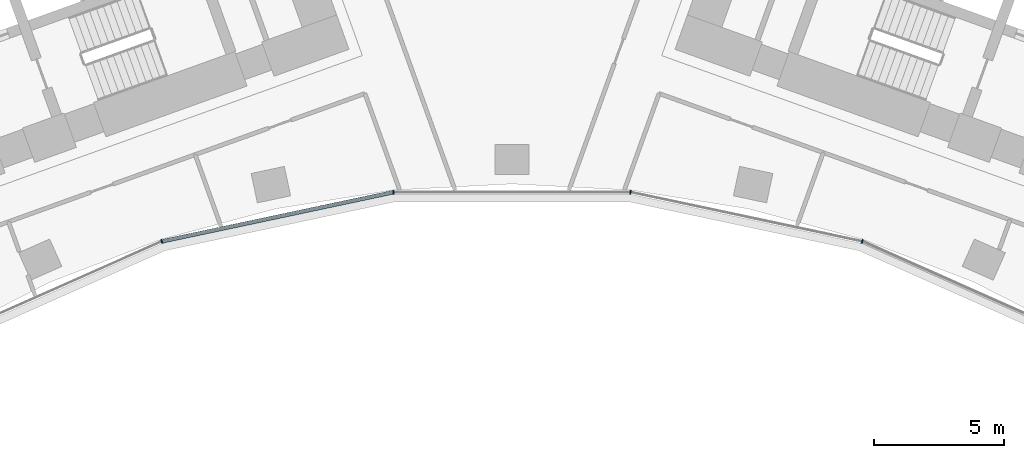
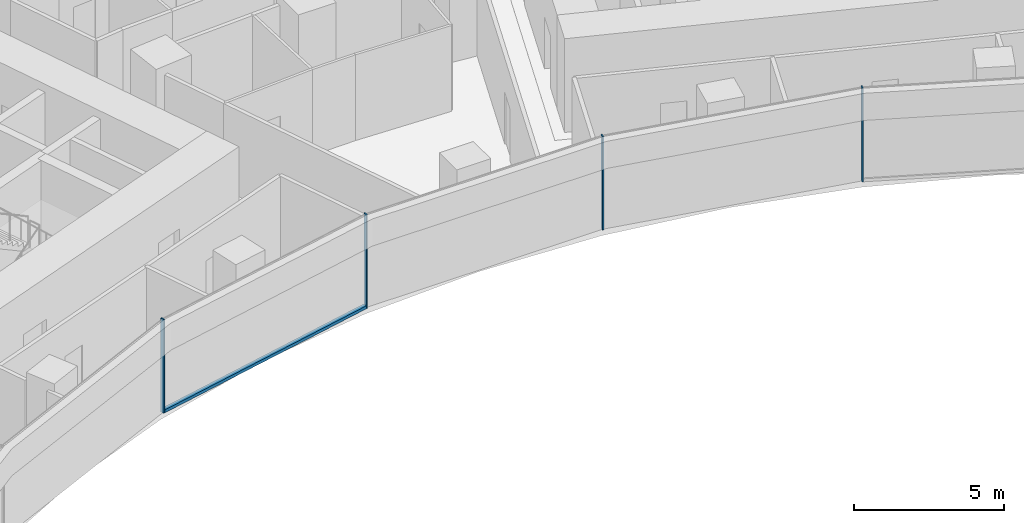
# One storey, part 4 of 21: 5 members, 1 element without a shape of its own.
"""IFC4 building model written with IfcOpenShell, lengths in metres."""

from ifc_helpers import new_model, si_unit, direction, frame, origin, origin_2d, place, context, subcontext, project, spatial, rectangle, extrude, material, layer, layer_set, material_profile, profile_set, type_object, element, aggregate, save


model = new_model("IFC4")

# Units and contexts
model_context = context("Model", 3, precision=1e-05, world=origin(), true_north=direction((0.0, 1.0)))
body_context = subcontext(model_context, "Body", "Model", "MODEL_VIEW")
ifc_project = project(units=[si_unit("LENGTHUNIT", "METRE"), si_unit("AREAUNIT", "SQUARE_METRE"), si_unit("VOLUMEUNIT", "CUBIC_METRE"), si_unit("PLANEANGLEUNIT", "RADIAN"), si_unit("MASSUNIT", "GRAM", prefix="KILO")], contexts=[model_context])

# Site, building, storey
site_placement = place(None, origin())
site = spatial("IfcSite", under=ifc_project, at=site_placement, CompositionType="ELEMENT")
building_placement = place(site_placement, origin())
building = spatial("IfcBuilding", under=site, at=building_placement, Name="Stone Belt Terrace Tower", CompositionType="ELEMENT")
storey_placement = place(building_placement, frame((0.0, 0.0, 117.39990234375)))
storey = spatial("IfcBuildingStorey", under=building, at=storey_placement, Name="L28", CompositionType="ELEMENT", Elevation=117.39990234375)

# Curtain wall, members
ifc_material = material(Name="Aluminium 6063-T6 anodised frame", Category="aluminium")
ifc_layer = layer(ifc_material, 0.14990234375)
ifc_layer_set = layer_set([ifc_layer], Name="CW-B unitised concave-face curtain wall")
curtain_wall_type = type_object("IfcCurtainWallType", Name="CW-B unitised concave-face curtain wall", PredefinedType="NOTDEFINED", material=ifc_layer_set)
curtain_wall_placement = place(storey_placement, origin())
curtain_wall = element("IfcCurtainWall", 1, at=curtain_wall_placement, inside=storey, type_object=curtain_wall_type, Name="CW-B concave face L28", PredefinedType="NOTDEFINED")
ifc_material_profile_1 = material_profile(ifc_material, rectangle(XDim=0.14990234375, YDim=0.050048828125, at=origin_2d()), Name="Aluminium 6063-T6 50x150")
ifc_profile_set_1 = profile_set([ifc_material_profile_1], Name="Aluminium 6063-T6 anodised frame")
member_type_1 = type_object("IfcMemberType", Name="CW-B mullion 50 x 150", PredefinedType="MULLION", material=ifc_profile_set_1)
member_1_placement = place(storey_placement, frame((-13.4189453125, 41.29931640625, 0.0), z_axis=(0.0, 0.0, 1.0), x_axis=(-0.309016994375, 0.951056516295, 0.0)))
member_1 = element("IfcMember", 2, at=member_1_placement, type_object=member_type_1, Name="CW-B mullion 4", PredefinedType="MULLION", context=body_context, shape_type="SweptSolid", body=[
    extrude(rectangle(XDim=0.14990234375, YDim=0.050048828125, at=origin_2d()), origin(), (0.0, 0.0, 1.0), 3.800048828125),
])
member_2_placement = place(storey_placement, frame((-4.5390625, 43.186767578125, 0.0), z_axis=(0.0, 0.0, 1.0), x_axis=(-0.104528463268, 0.994521895368, 0.0)))
member_2 = element("IfcMember", 3, at=member_2_placement, type_object=member_type_1, Name="CW-B mullion 5", PredefinedType="MULLION", context=body_context, shape_type="SweptSolid", body=[
    extrude(rectangle(XDim=0.14990234375, YDim=0.050048828125, at=origin_2d()), origin(), (0.0, 0.0, 1.0), 3.800048828125),
])
member_3_placement = place(storey_placement, frame((4.5390625, 43.186767578125, 0.0), z_axis=(0.0, 0.0, 1.0), x_axis=(0.104528463268, 0.994521895368, 0.0)))
member_3 = element("IfcMember", 4, at=member_3_placement, type_object=member_type_1, Name="CW-B mullion 6", PredefinedType="MULLION", context=body_context, shape_type="SweptSolid", body=[
    extrude(rectangle(XDim=0.14990234375, YDim=0.050048828125, at=origin_2d()), origin(), (0.0, 0.0, 1.0), 3.800048828125),
])
member_4_placement = place(storey_placement, frame((13.4189453125, 41.29931640625, 0.0), z_axis=(0.0, 0.0, 1.0), x_axis=(0.309016994375, 0.951056516295, 0.0)))
member_4 = element("IfcMember", 5, at=member_4_placement, type_object=member_type_1, Name="CW-B mullion 7", PredefinedType="MULLION", context=body_context, shape_type="SweptSolid", body=[
    extrude(rectangle(XDim=0.14990234375, YDim=0.050048828125, at=origin_2d()), origin(), (0.0, 0.0, 1.0), 3.800048828125),
])
ifc_material_profile_2 = material_profile(ifc_material, rectangle(XDim=0.14990234375, YDim=0.1201171875, at=origin_2d()), Name="Aluminium 6063-T6 150x120")
ifc_profile_set_2 = profile_set([ifc_material_profile_2], Name="Aluminium 6063-T6 anodised frame")
member_type_2 = type_object("IfcMemberType", Name="CW-B transom 120 x 150", PredefinedType="USERDEFINED", material=ifc_profile_set_2)
member_5_placement = place(storey_placement, frame((-13.386962890625, 41.30615234375, 0.06005859375), z_axis=(0.9781499003, 0.207900871914, 0.0), x_axis=(-0.207900871914, 0.9781499003, 0.0)))
member_5 = element("IfcMember", 6, at=member_5_placement, type_object=member_type_2, Name="CW-B transom 4.1", ObjectType="TRANSOM", PredefinedType="USERDEFINED", context=body_context, shape_type="SweptSolid", body=[
    extrude(rectangle(XDim=0.14990234375, YDim=0.1201171875, at=origin_2d()), origin(), (0.0, 0.0, 1.0), 9.012939453125),
])
aggregate(curtain_wall, [member_1, member_2, member_3, member_4, member_5])

save(model, "model.ifc")
